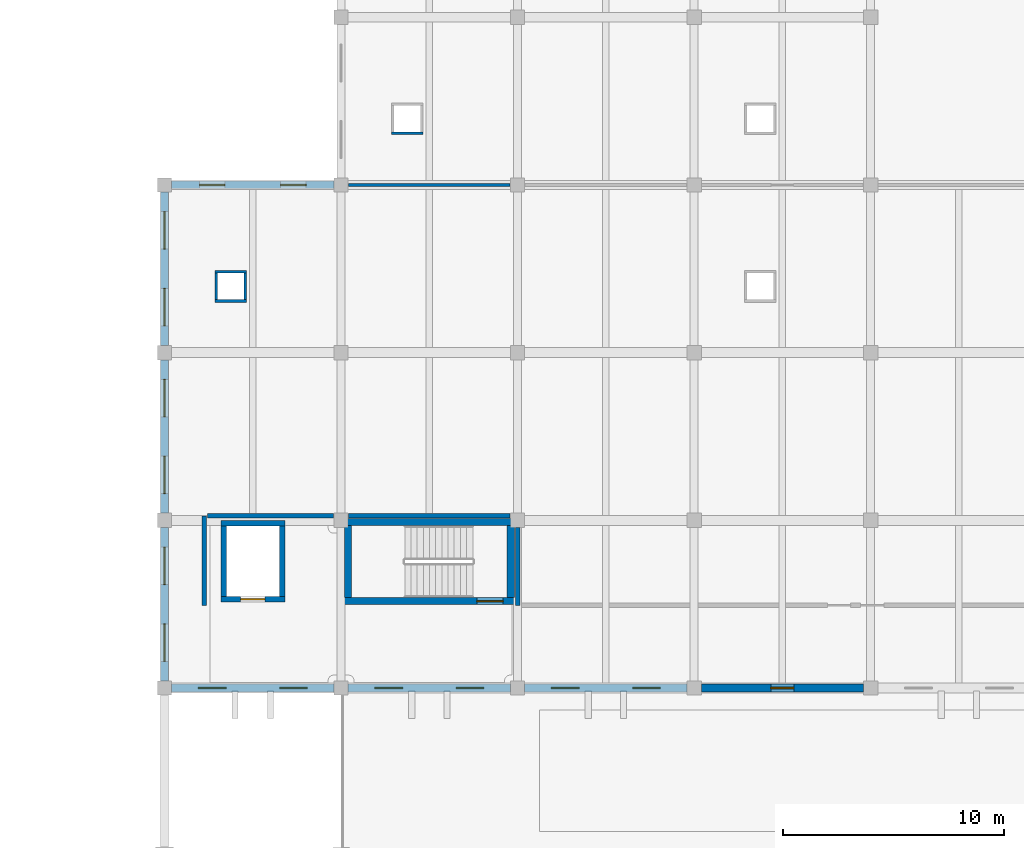
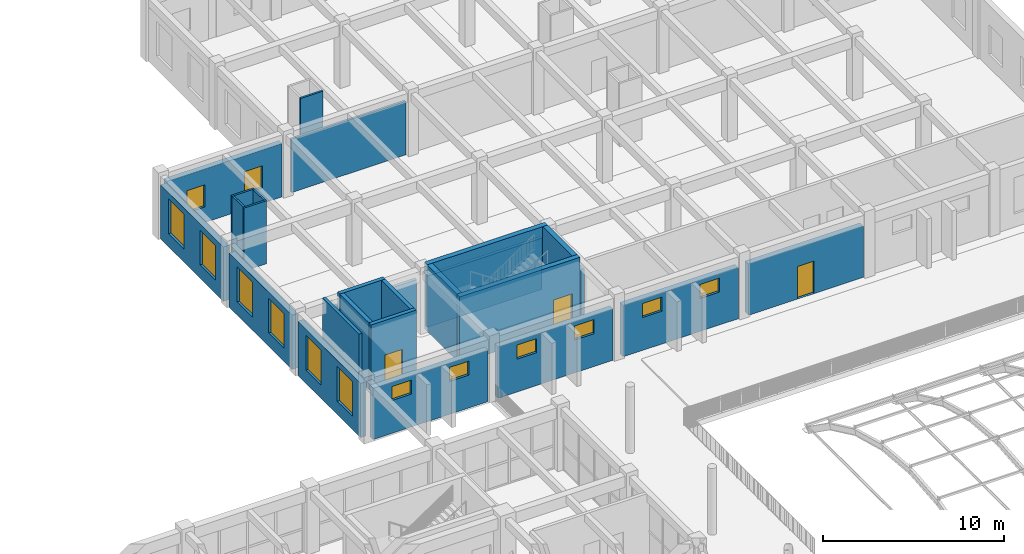
# One storey, part 60 of 79: 26 walls, 14 windows, 3 doors, 17 openings.
"""IFC4 building model written with IfcOpenShell, lengths in metres."""

from ifc_helpers import new_model, si_unit, direction, frame, frame_2d, origin, place, context, subcontext, project, spatial, rectangle, extrude, material, layer, layer_set, type_object, element, fill, save


model = new_model("IFC4")

# Units and contexts
model_context = context("Model", 3, precision=1e-05, world=origin(), true_north=direction((0.0, 1.0)))
body_context = subcontext(model_context, "Body", "Model", "MODEL_VIEW")
ifc_project = project(units=[si_unit("LENGTHUNIT", "METRE"), si_unit("AREAUNIT", "SQUARE_METRE"), si_unit("VOLUMEUNIT", "CUBIC_METRE"), si_unit("PLANEANGLEUNIT", "RADIAN"), si_unit("MASSUNIT", "GRAM", prefix="KILO")], contexts=[model_context])

# Site, building, storey
site_placement = place(None, origin())
site = spatial("IfcSite", under=ifc_project, at=site_placement, CompositionType="ELEMENT")
building_placement = place(site_placement, origin())
building = spatial("IfcBuilding", under=site, at=building_placement, Name="Zantavel Square City Hall", CompositionType="ELEMENT")
storey_placement = place(building_placement, frame((0.0, 0.0, 10.199951171875)))
storey = spatial("IfcBuildingStorey", under=building, at=storey_placement, Name="L03", CompositionType="ELEMENT", Elevation=10.199951171875)

# Wall, opening, door
ifc_material_1 = material(Name="Concrete C40/50", Category="concrete")
ifc_layer_1 = layer(ifc_material_1, 0.320068359375, Name="Concrete C40/50")
ifc_layer_set_1 = layer_set([ifc_layer_1], Name="Concrete C40/50")
wall_type_1 = type_object("IfcWallType", Name="Core Shear Wall RC 320mm C40/50", PredefinedType="SHEAR", material=ifc_layer_set_1)
wall_1_placement = place(storey_placement, frame((119.85009765625, 79.93994140625, 0.0), z_axis=(0.0, 0.0, 1.0), x_axis=(-1.0, 0.0, 0.0)))
wall_1 = element("IfcWall", 1, at=wall_1_placement, inside=storey, type_object=wall_type_1, Name="L03 Exit Stair 2 North-East Core Shear Wall South", PredefinedType="SHEAR", context=body_context, shape_type="SweptSolid", body=[
    extrude(rectangle(XDim=7.7001953125, YDim=0.320068359375, at=frame_2d((3.85009765625, 0.0))), origin(), (0.0, 0.0, 1.0), 4.5),
])
opening_1_placement = place(wall_1_placement, frame((0.5, 0.0, 0.0)))
opening_1 = element("IfcOpeningElement", 2, at=opening_1_placement, cuts=wall_1, Name="Opening SD-010", PredefinedType="OPENING", context=body_context, shape_type="SweptSolid", body=[
    extrude(rectangle(XDim=1.199951171875, YDim=2.199951171875, at=frame_2d((0.60009765625, 1.10009765625))), frame((0.0, 0.169921875, 0.0), z_axis=(0.0, -1.0, 0.0), x_axis=(1.0, 0.0, 0.0)), (0.0, 0.0, 1.0), 0.340087890625),
])
ifc_material_2 = material(Name="Steel ASTM A500 Grade B", Category="steel")
door_type_1 = type_object("IfcDoorType", Name="Enclosed Exit Stairwell Fire Door 1200x2200 FD90S", OperationType="NOTDEFINED", PredefinedType="DOOR", material=ifc_material_2)
door_1_placement = place(opening_1_placement, origin())
door_1 = element("IfcDoor", 3, at=door_1_placement, inside=storey, type_object=door_type_1, Name="L03 Exit Stair 2 North-East Core Fire Door", OperationType="SINGLE_SWING_RIGHT", OverallHeight=2.199951171875, OverallWidth=1.199951171875, PredefinedType="DOOR", context=body_context, shape_type="SweptSolid", body=[
    extrude(rectangle(XDim=1.199951171875, YDim=2.199951171875, at=frame_2d((0.60009765625, 1.10009765625))), frame((0.0, 0.02490234375, 0.0), z_axis=(0.0, -1.0, 0.0), x_axis=(1.0, 0.0, 0.0)), (0.0, 0.0, 1.0), 0.050048828125),
])
fill(opening_1, door_1)

# Walls
wall_2_placement = place(storey_placement, frame((112.31005859375, 80.10009765625, 0.0), z_axis=(0.0, 0.0, 1.0), x_axis=(0.0, 1.0, 0.0)))
element("IfcWall", 4, at=wall_2_placement, inside=storey, type_object=wall_type_1, Name="L03 Exit Stair 2 North-East Core Shear Wall West", PredefinedType="SHEAR", context=body_context, shape_type="SweptSolid", body=[
    extrude(rectangle(XDim=3.27001953125, YDim=0.320068359375, at=frame_2d((1.635009765625, 0.0))), origin(), (0.0, 0.0, 1.0), 4.5),
])
wall_3_placement = place(storey_placement, frame((112.14990234375, 83.530029296875, 0.0), z_axis=(0.0, 0.0, 1.0), x_axis=(1.0, 0.0, 0.0)))
element("IfcWall", 5, at=wall_3_placement, inside=storey, type_object=wall_type_1, Name="L03 Exit Stair 2 North-East Core Shear Wall North", PredefinedType="SHEAR", context=body_context, shape_type="SweptSolid", body=[
    extrude(rectangle(XDim=7.7001953125, YDim=0.320068359375, at=frame_2d((3.85009765625, 0.0))), origin(), (0.0, 0.0, 1.0), 4.5),
])
wall_4_placement = place(storey_placement, frame((119.68994140625, 83.3701171875, 0.0), z_axis=(0.0, 0.0, 1.0), x_axis=(0.0, -1.0, 0.0)))
element("IfcWall", 6, at=wall_4_placement, inside=storey, type_object=wall_type_1, Name="L03 Exit Stair 2 North-East Core Shear Wall East", PredefinedType="SHEAR", context=body_context, shape_type="SweptSolid", body=[
    extrude(rectangle(XDim=3.27001953125, YDim=0.320068359375, at=frame_2d((1.635009765625, 0.0))), origin(), (0.0, 0.0, 1.0), 4.5),
])

# Wall, opening, door
ifc_material_3 = material(Name="Cantera volcanic tuff stone", Category="masonry")
ifc_layer_2 = layer(ifc_material_3, 0.360107421875, Name="Cantera volcanic tuff stone")
ifc_layer_set_2 = layer_set([ifc_layer_2], Name="Cantera volcanic tuff stone")
wall_type_2 = type_object("IfcWallType", Name="Courtyard Cantera Facade Wall 360mm", PredefinedType="STANDARD", material=ifc_layer_set_2)
wall_5_placement = place(storey_placement, frame((135.675048828125, 76.0, 0.0), z_axis=(0.0, 0.0, 1.0), x_axis=(-1.0, 0.0, 0.0)))
wall_5 = element("IfcWall", 7, at=wall_5_placement, inside=storey, type_object=wall_type_2, Name="L03 Exterior Wall EW-L03-099", PredefinedType="STANDARD", context=body_context, shape_type="SweptSolid", body=[
    extrude(rectangle(XDim=7.35009765625, YDim=0.360107421875, at=frame_2d((3.675048828125, 0.0))), origin(), (0.0, 0.0, 1.0), 3.469970703125),
])
opening_2_placement = place(wall_5_placement, frame((3.14990234375, 0.0, 0.0)))
opening_2 = element("IfcOpeningElement", 8, at=opening_2_placement, cuts=wall_5, Name="Opening ED-026", PredefinedType="OPENING", context=body_context, shape_type="SweptSolid", body=[
    extrude(rectangle(XDim=1.050048828125, YDim=2.199951171875, at=frame_2d((0.52490234375, 1.10009765625))), frame((0.0, 0.18994140625, 0.0), z_axis=(0.0, -1.0, 0.0), x_axis=(1.0, 0.0, 0.0)), (0.0, 0.0, 1.0), 0.380126953125),
])
ifc_material_4 = material(Name="Anodised aluminium 6063-T6", Category="aluminium")
door_type_2 = type_object("IfcDoorType", Name="Roof Garden Access Single Door 1050x2200", OperationType="NOTDEFINED", PredefinedType="DOOR", material=ifc_material_4)
door_2_placement = place(opening_2_placement, origin())
door_2 = element("IfcDoor", 9, at=door_2_placement, inside=storey, type_object=door_type_2, Name="L03 North-East Wing Roof Garden Door", OperationType="SINGLE_SWING_RIGHT", OverallHeight=2.199951171875, OverallWidth=1.050048828125, PredefinedType="DOOR", context=body_context, shape_type="SweptSolid", body=[
    extrude(rectangle(XDim=1.050048828125, YDim=2.199951171875, at=frame_2d((0.52490234375, 1.10009765625))), frame((0.0, 0.02490234375, 0.0), z_axis=(0.0, -1.0, 0.0), x_axis=(1.0, 0.0, 0.0)), (0.0, 0.0, 1.0), 0.050048828125),
])
fill(opening_2, door_2)

# Wall, openings, windows
wall_6_placement = place(storey_placement, frame((127.675048828125, 76.0, 0.0), z_axis=(0.0, 0.0, 1.0), x_axis=(-1.0, 0.0, 0.0)))
wall_6 = element("IfcWall", 10, at=wall_6_placement, inside=storey, type_object=wall_type_2, Name="L03 Exterior Wall EW-L03-100", PredefinedType="STANDARD", context=body_context, shape_type="SweptSolid", body=[
    extrude(rectangle(XDim=7.35009765625, YDim=0.360107421875, at=frame_2d((3.675048828125, 0.0))), origin(), (0.0, 0.0, 1.0), 3.469970703125),
])
opening_3_placement = place(wall_6_placement, frame((1.21240234375, 0.0, 2.219970703125)))
opening_3 = element("IfcOpeningElement", 11, at=opening_3_placement, cuts=wall_6, Name="Opening W-414", PredefinedType="OPENING", context=body_context, shape_type="SweptSolid", body=[
    extrude(rectangle(XDim=1.25, YDim=0.949951171875, at=frame_2d((0.625, 0.47509765625))), frame((0.0, 0.18994140625, 0.0), z_axis=(0.0, -1.0, 0.0), x_axis=(1.0, 0.0, 0.0)), (0.0, 0.0, 1.0), 0.380126953125),
])
opening_4_placement = place(wall_6_placement, frame((4.887451171875, 0.0, 2.219970703125)))
opening_4 = element("IfcOpeningElement", 12, at=opening_4_placement, cuts=wall_6, Name="Opening W-415", PredefinedType="OPENING", context=body_context, shape_type="SweptSolid", body=[
    extrude(rectangle(XDim=1.25, YDim=0.949951171875, at=frame_2d((0.625, 0.47509765625))), frame((0.0, 0.18994140625, 0.0), z_axis=(0.0, -1.0, 0.0), x_axis=(1.0, 0.0, 0.0)), (0.0, 0.0, 1.0), 0.380126953125),
])
ifc_material_5 = material(Name="Tempered safety glass low-E double glazing", Category="glass")
window_type_1 = type_object("IfcWindowType", Name="Window Archive High Clerestory 1250x950", PartitioningType="SINGLE_PANEL", PredefinedType="WINDOW", material=ifc_material_5)
window_1_placement = place(opening_3_placement, origin())
window_1 = element("IfcWindow", 13, at=window_1_placement, inside=storey, type_object=window_type_1, Name="L03 Window W-414", OverallHeight=0.949951171875, OverallWidth=1.25, PartitioningType="SINGLE_PANEL", PredefinedType="WINDOW", context=body_context, shape_type="SweptSolid", body=[
    extrude(rectangle(XDim=1.25, YDim=0.949951171875, at=frame_2d((0.625, 0.47509765625))), frame((0.0, 0.030029296875, 0.0), z_axis=(0.0, -1.0, 0.0), x_axis=(1.0, 0.0, 0.0)), (0.0, 0.0, 1.0), 0.06005859375),
])
fill(opening_3, window_1)
window_2_placement = place(opening_4_placement, origin())
window_2 = element("IfcWindow", 14, at=window_2_placement, inside=storey, type_object=window_type_1, Name="L03 Window W-415", OverallHeight=0.949951171875, OverallWidth=1.25, PartitioningType="SINGLE_PANEL", PredefinedType="WINDOW", context=body_context, shape_type="SweptSolid", body=[
    extrude(rectangle(XDim=1.25, YDim=0.949951171875, at=frame_2d((0.625, 0.47509765625))), frame((0.0, 0.030029296875, 0.0), z_axis=(0.0, -1.0, 0.0), x_axis=(1.0, 0.0, 0.0)), (0.0, 0.0, 1.0), 0.06005859375),
])
fill(opening_4, window_2)

wall_7_placement = place(storey_placement, frame((119.675048828125, 76.0, 0.0), z_axis=(0.0, 0.0, 1.0), x_axis=(-1.0, 0.0, 0.0)))
wall_7 = element("IfcWall", 15, at=wall_7_placement, inside=storey, type_object=wall_type_2, Name="L03 Exterior Wall EW-L03-101", PredefinedType="STANDARD", context=body_context, shape_type="SweptSolid", body=[
    extrude(rectangle(XDim=7.35009765625, YDim=0.360107421875, at=frame_2d((3.675048828125, 0.0))), origin(), (0.0, 0.0, 1.0), 3.469970703125),
])
opening_5_placement = place(wall_7_placement, frame((1.21240234375, 0.0, 2.219970703125)))
opening_5 = element("IfcOpeningElement", 16, at=opening_5_placement, cuts=wall_7, Name="Opening W-416", PredefinedType="OPENING", context=body_context, shape_type="SweptSolid", body=[
    extrude(rectangle(XDim=1.25, YDim=0.949951171875, at=frame_2d((0.625, 0.47509765625))), frame((0.0, 0.18994140625, 0.0), z_axis=(0.0, -1.0, 0.0), x_axis=(1.0, 0.0, 0.0)), (0.0, 0.0, 1.0), 0.380126953125),
])
opening_6_placement = place(wall_7_placement, frame((4.887451171875, 0.0, 2.219970703125)))
opening_6 = element("IfcOpeningElement", 17, at=opening_6_placement, cuts=wall_7, Name="Opening W-417", PredefinedType="OPENING", context=body_context, shape_type="SweptSolid", body=[
    extrude(rectangle(XDim=1.25, YDim=0.949951171875, at=frame_2d((0.625, 0.47509765625))), frame((0.0, 0.18994140625, 0.0), z_axis=(0.0, -1.0, 0.0), x_axis=(1.0, 0.0, 0.0)), (0.0, 0.0, 1.0), 0.380126953125),
])
window_3_placement = place(opening_5_placement, origin())
window_3 = element("IfcWindow", 18, at=window_3_placement, inside=storey, type_object=window_type_1, Name="L03 Window W-416", OverallHeight=0.949951171875, OverallWidth=1.25, PartitioningType="SINGLE_PANEL", PredefinedType="WINDOW", context=body_context, shape_type="SweptSolid", body=[
    extrude(rectangle(XDim=1.25, YDim=0.949951171875, at=frame_2d((0.625, 0.47509765625))), frame((0.0, 0.030029296875, 0.0), z_axis=(0.0, -1.0, 0.0), x_axis=(1.0, 0.0, 0.0)), (0.0, 0.0, 1.0), 0.06005859375),
])
fill(opening_5, window_3)
window_4_placement = place(opening_6_placement, origin())
window_4 = element("IfcWindow", 19, at=window_4_placement, inside=storey, type_object=window_type_1, Name="L03 Window W-417", OverallHeight=0.949951171875, OverallWidth=1.25, PartitioningType="SINGLE_PANEL", PredefinedType="WINDOW", context=body_context, shape_type="SweptSolid", body=[
    extrude(rectangle(XDim=1.25, YDim=0.949951171875, at=frame_2d((0.625, 0.47509765625))), frame((0.0, 0.030029296875, 0.0), z_axis=(0.0, -1.0, 0.0), x_axis=(1.0, 0.0, 0.0)), (0.0, 0.0, 1.0), 0.06005859375),
])
fill(opening_6, window_4)

wall_8_placement = place(storey_placement, frame((111.675048828125, 76.0, 0.0), z_axis=(0.0, 0.0, 1.0), x_axis=(-1.0, 0.0, 0.0)))
wall_8 = element("IfcWall", 20, at=wall_8_placement, inside=storey, type_object=wall_type_2, Name="L03 Exterior Wall EW-L03-102", PredefinedType="STANDARD", context=body_context, shape_type="SweptSolid", body=[
    extrude(rectangle(XDim=7.35009765625, YDim=0.360107421875, at=frame_2d((3.675048828125, 0.0))), origin(), (0.0, 0.0, 1.0), 3.469970703125),
])
opening_7_placement = place(wall_8_placement, frame((1.21240234375, 0.0, 2.219970703125)))
opening_7 = element("IfcOpeningElement", 21, at=opening_7_placement, cuts=wall_8, Name="Opening W-418", PredefinedType="OPENING", context=body_context, shape_type="SweptSolid", body=[
    extrude(rectangle(XDim=1.25, YDim=0.949951171875, at=frame_2d((0.625, 0.47509765625))), frame((0.0, 0.18994140625, 0.0), z_axis=(0.0, -1.0, 0.0), x_axis=(1.0, 0.0, 0.0)), (0.0, 0.0, 1.0), 0.380126953125),
])
opening_8_placement = place(wall_8_placement, frame((4.887451171875, 0.0, 2.219970703125)))
opening_8 = element("IfcOpeningElement", 22, at=opening_8_placement, cuts=wall_8, Name="Opening W-419", PredefinedType="OPENING", context=body_context, shape_type="SweptSolid", body=[
    extrude(rectangle(XDim=1.25, YDim=0.949951171875, at=frame_2d((0.625, 0.47509765625))), frame((0.0, 0.18994140625, 0.0), z_axis=(0.0, -1.0, 0.0), x_axis=(1.0, 0.0, 0.0)), (0.0, 0.0, 1.0), 0.380126953125),
])
window_5_placement = place(opening_7_placement, origin())
window_5 = element("IfcWindow", 23, at=window_5_placement, inside=storey, type_object=window_type_1, Name="L03 Window W-418", OverallHeight=0.949951171875, OverallWidth=1.25, PartitioningType="SINGLE_PANEL", PredefinedType="WINDOW", context=body_context, shape_type="SweptSolid", body=[
    extrude(rectangle(XDim=1.25, YDim=0.949951171875, at=frame_2d((0.625, 0.47509765625))), frame((0.0, 0.030029296875, 0.0), z_axis=(0.0, -1.0, 0.0), x_axis=(1.0, 0.0, 0.0)), (0.0, 0.0, 1.0), 0.06005859375),
])
fill(opening_7, window_5)
window_6_placement = place(opening_8_placement, origin())
window_6 = element("IfcWindow", 24, at=window_6_placement, inside=storey, type_object=window_type_1, Name="L03 Window W-419", OverallHeight=0.949951171875, OverallWidth=1.25, PartitioningType="SINGLE_PANEL", PredefinedType="WINDOW", context=body_context, shape_type="SweptSolid", body=[
    extrude(rectangle(XDim=1.25, YDim=0.949951171875, at=frame_2d((0.625, 0.47509765625))), frame((0.0, 0.030029296875, 0.0), z_axis=(0.0, -1.0, 0.0), x_axis=(1.0, 0.0, 0.0)), (0.0, 0.0, 1.0), 0.06005859375),
])
fill(opening_8, window_6)

wall_9_placement = place(storey_placement, frame((104.0, 76.324951171875, 0.0), z_axis=(0.0, 0.0, 1.0), x_axis=(0.0, 1.0, 0.0)))
wall_9 = element("IfcWall", 25, at=wall_9_placement, inside=storey, type_object=wall_type_2, Name="L03 Exterior Wall EW-L03-103", PredefinedType="STANDARD", context=body_context, shape_type="SweptSolid", body=[
    extrude(rectangle(XDim=6.949951171875, YDim=0.360107421875, at=frame_2d((3.47509765625, 0.0))), origin(), (0.0, 0.0, 1.0), 3.670166015625),
])
opening_9_placement = place(wall_9_placement, frame((0.887451171875, 0.0, 0.89990234375)))
opening_9 = element("IfcOpeningElement", 26, at=opening_9_placement, cuts=wall_9, Name="Opening W-420", PredefinedType="OPENING", context=body_context, shape_type="SweptSolid", body=[
    extrude(rectangle(XDim=1.699951171875, YDim=2.35009765625, at=frame_2d((0.85009765625, 1.175048828125))), frame((0.0, 0.18994140625, 0.0), z_axis=(0.0, -1.0, 0.0), x_axis=(1.0, 0.0, 0.0)), (0.0, 0.0, 1.0), 0.380126953125),
])
opening_10_placement = place(wall_9_placement, frame((4.362548828125, 0.0, 0.89990234375)))
opening_10 = element("IfcOpeningElement", 27, at=opening_10_placement, cuts=wall_9, Name="Opening W-421", PredefinedType="OPENING", context=body_context, shape_type="SweptSolid", body=[
    extrude(rectangle(XDim=1.699951171875, YDim=2.35009765625, at=frame_2d((0.85009765625, 1.175048828125))), frame((0.0, 0.18994140625, 0.0), z_axis=(0.0, -1.0, 0.0), x_axis=(1.0, 0.0, 0.0)), (0.0, 0.0, 1.0), 0.380126953125),
])
window_type_2 = type_object("IfcWindowType", Name="Window Library Reading Tall 1700x2350", PartitioningType="DOUBLE_PANEL_VERTICAL", PredefinedType="WINDOW", material=ifc_material_5)
window_7_placement = place(opening_9_placement, origin())
window_7 = element("IfcWindow", 28, at=window_7_placement, inside=storey, type_object=window_type_2, Name="L03 Window W-420", OverallHeight=2.35009765625, OverallWidth=1.699951171875, PartitioningType="DOUBLE_PANEL_VERTICAL", PredefinedType="WINDOW", context=body_context, shape_type="SweptSolid", body=[
    extrude(rectangle(XDim=1.699951171875, YDim=2.35009765625, at=frame_2d((0.85009765625, 1.175048828125))), frame((0.0, 0.030029296875, 0.0), z_axis=(0.0, -1.0, 0.0), x_axis=(1.0, 0.0, 0.0)), (0.0, 0.0, 1.0), 0.06005859375),
])
fill(opening_9, window_7)
window_8_placement = place(opening_10_placement, origin())
window_8 = element("IfcWindow", 29, at=window_8_placement, inside=storey, type_object=window_type_2, Name="L03 Window W-421", OverallHeight=2.35009765625, OverallWidth=1.699951171875, PartitioningType="DOUBLE_PANEL_VERTICAL", PredefinedType="WINDOW", context=body_context, shape_type="SweptSolid", body=[
    extrude(rectangle(XDim=1.699951171875, YDim=2.35009765625, at=frame_2d((0.85009765625, 1.175048828125))), frame((0.0, 0.030029296875, 0.0), z_axis=(0.0, -1.0, 0.0), x_axis=(1.0, 0.0, 0.0)), (0.0, 0.0, 1.0), 0.06005859375),
])
fill(opening_10, window_8)

wall_10_placement = place(storey_placement, frame((104.0, 83.925048828125, 0.0), z_axis=(0.0, 0.0, 1.0), x_axis=(0.0, 1.0, 0.0)))
wall_10 = element("IfcWall", 30, at=wall_10_placement, inside=storey, type_object=wall_type_2, Name="L03 Exterior Wall EW-L03-104", PredefinedType="STANDARD", context=body_context, shape_type="SweptSolid", body=[
    extrude(rectangle(XDim=6.949951171875, YDim=0.360107421875, at=frame_2d((3.47509765625, 0.0))), origin(), (0.0, 0.0, 1.0), 3.670166015625),
])
opening_11_placement = place(wall_10_placement, frame((0.887451171875, 0.0, 0.89990234375)))
opening_11 = element("IfcOpeningElement", 31, at=opening_11_placement, cuts=wall_10, Name="Opening W-422", PredefinedType="OPENING", context=body_context, shape_type="SweptSolid", body=[
    extrude(rectangle(XDim=1.699951171875, YDim=2.35009765625, at=frame_2d((0.85009765625, 1.175048828125))), frame((0.0, 0.18994140625, 0.0), z_axis=(0.0, -1.0, 0.0), x_axis=(1.0, 0.0, 0.0)), (0.0, 0.0, 1.0), 0.380126953125),
])
opening_12_placement = place(wall_10_placement, frame((4.362548828125, 0.0, 0.89990234375)))
opening_12 = element("IfcOpeningElement", 32, at=opening_12_placement, cuts=wall_10, Name="Opening W-423", PredefinedType="OPENING", context=body_context, shape_type="SweptSolid", body=[
    extrude(rectangle(XDim=1.699951171875, YDim=2.35009765625, at=frame_2d((0.85009765625, 1.175048828125))), frame((0.0, 0.18994140625, 0.0), z_axis=(0.0, -1.0, 0.0), x_axis=(1.0, 0.0, 0.0)), (0.0, 0.0, 1.0), 0.380126953125),
])
window_9_placement = place(opening_11_placement, origin())
window_9 = element("IfcWindow", 33, at=window_9_placement, inside=storey, type_object=window_type_2, Name="L03 Window W-422", OverallHeight=2.35009765625, OverallWidth=1.699951171875, PartitioningType="DOUBLE_PANEL_VERTICAL", PredefinedType="WINDOW", context=body_context, shape_type="SweptSolid", body=[
    extrude(rectangle(XDim=1.699951171875, YDim=2.35009765625, at=frame_2d((0.85009765625, 1.175048828125))), frame((0.0, 0.030029296875, 0.0), z_axis=(0.0, -1.0, 0.0), x_axis=(1.0, 0.0, 0.0)), (0.0, 0.0, 1.0), 0.06005859375),
])
fill(opening_11, window_9)
window_10_placement = place(opening_12_placement, origin())
window_10 = element("IfcWindow", 34, at=window_10_placement, inside=storey, type_object=window_type_2, Name="L03 Window W-423", OverallHeight=2.35009765625, OverallWidth=1.699951171875, PartitioningType="DOUBLE_PANEL_VERTICAL", PredefinedType="WINDOW", context=body_context, shape_type="SweptSolid", body=[
    extrude(rectangle(XDim=1.699951171875, YDim=2.35009765625, at=frame_2d((0.85009765625, 1.175048828125))), frame((0.0, 0.030029296875, 0.0), z_axis=(0.0, -1.0, 0.0), x_axis=(1.0, 0.0, 0.0)), (0.0, 0.0, 1.0), 0.06005859375),
])
fill(opening_12, window_10)

wall_11_placement = place(storey_placement, frame((104.0, 91.52490234375, 0.0), z_axis=(0.0, 0.0, 1.0), x_axis=(0.0, 1.0, 0.0)))
wall_11 = element("IfcWall", 35, at=wall_11_placement, inside=storey, type_object=wall_type_2, Name="L03 Exterior Wall EW-L03-105", PredefinedType="STANDARD", context=body_context, shape_type="SweptSolid", body=[
    extrude(rectangle(XDim=6.9501953125, YDim=0.360107421875, at=frame_2d((3.47509765625, 0.0))), origin(), (0.0, 0.0, 1.0), 3.670166015625),
])
opening_13_placement = place(wall_11_placement, frame((0.887451171875, 0.0, 0.89990234375)))
opening_13 = element("IfcOpeningElement", 36, at=opening_13_placement, cuts=wall_11, Name="Opening W-424", PredefinedType="OPENING", context=body_context, shape_type="SweptSolid", body=[
    extrude(rectangle(XDim=1.699951171875, YDim=2.35009765625, at=frame_2d((0.85009765625, 1.175048828125))), frame((0.0, 0.18994140625, 0.0), z_axis=(0.0, -1.0, 0.0), x_axis=(1.0, 0.0, 0.0)), (0.0, 0.0, 1.0), 0.380126953125),
])
opening_14_placement = place(wall_11_placement, frame((4.362548828125, 0.0, 0.89990234375)))
opening_14 = element("IfcOpeningElement", 37, at=opening_14_placement, cuts=wall_11, Name="Opening W-425", PredefinedType="OPENING", context=body_context, shape_type="SweptSolid", body=[
    extrude(rectangle(XDim=1.699951171875, YDim=2.35009765625, at=frame_2d((0.85009765625, 1.175048828125))), frame((0.0, 0.18994140625, 0.0), z_axis=(0.0, -1.0, 0.0), x_axis=(1.0, 0.0, 0.0)), (0.0, 0.0, 1.0), 0.380126953125),
])
window_11_placement = place(opening_13_placement, origin())
window_11 = element("IfcWindow", 38, at=window_11_placement, inside=storey, type_object=window_type_2, Name="L03 Window W-424", OverallHeight=2.35009765625, OverallWidth=1.699951171875, PartitioningType="DOUBLE_PANEL_VERTICAL", PredefinedType="WINDOW", context=body_context, shape_type="SweptSolid", body=[
    extrude(rectangle(XDim=1.699951171875, YDim=2.35009765625, at=frame_2d((0.85009765625, 1.175048828125))), frame((0.0, 0.030029296875, 0.0), z_axis=(0.0, -1.0, 0.0), x_axis=(1.0, 0.0, 0.0)), (0.0, 0.0, 1.0), 0.06005859375),
])
fill(opening_13, window_11)
window_12_placement = place(opening_14_placement, origin())
window_12 = element("IfcWindow", 39, at=window_12_placement, inside=storey, type_object=window_type_2, Name="L03 Window W-425", OverallHeight=2.35009765625, OverallWidth=1.699951171875, PartitioningType="DOUBLE_PANEL_VERTICAL", PredefinedType="WINDOW", context=body_context, shape_type="SweptSolid", body=[
    extrude(rectangle(XDim=1.699951171875, YDim=2.35009765625, at=frame_2d((0.85009765625, 1.175048828125))), frame((0.0, 0.030029296875, 0.0), z_axis=(0.0, -1.0, 0.0), x_axis=(1.0, 0.0, 0.0)), (0.0, 0.0, 1.0), 0.06005859375),
])
fill(opening_14, window_12)

# Walls
ifc_material_6 = material(Name="Gypsum acoustic stud assembly", Category="masonry")
ifc_layer_3 = layer(ifc_material_6, 0.14990234375, Name="Gypsum acoustic stud assembly")
ifc_layer_set_3 = layer_set([ifc_layer_3], Name="Gypsum acoustic stud assembly")
wall_type_3 = type_object("IfcWallType", Name="Department Office Partition 150mm", PredefinedType="PARTITIONING", material=ifc_layer_set_3)
wall_12_placement = place(storey_placement, frame((112.3349609375, 98.800048828125, 0.0), z_axis=(0.0, 0.0, 1.0), x_axis=(1.0, 0.0, 0.0)))
element("IfcWall", 40, at=wall_12_placement, inside=storey, type_object=wall_type_3, Name="L03 Interior Wall IW-L03-0279", PredefinedType="PARTITIONING", context=body_context, shape_type="SweptSolid", body=[
    extrude(rectangle(XDim=7.330078125, YDim=0.14990234375, at=frame_2d((3.6650390625, 0.0))), origin(), (0.0, 0.0, 1.0), 3.6201171875),
])
ifc_layer_4 = layer(ifc_material_3, 0.199951171875, Name="Cantera volcanic tuff stone")
ifc_layer_set_4 = layer_set([ifc_layer_4], Name="Cantera volcanic tuff stone")
wall_type_4 = type_object("IfcWallType", Name="Exit Corridor Rated Wall 200mm", PredefinedType="STANDARD", material=ifc_layer_set_4)
wall_13_placement = place(storey_placement, frame((105.800048828125, 79.75, 0.0), z_axis=(0.0, 0.0, 1.0), x_axis=(0.0, 1.0, 0.0)))
element("IfcWall", 41, at=wall_13_placement, inside=storey, type_object=wall_type_4, Name="L03 Interior Wall IW-L03-0236", PredefinedType="STANDARD", context=body_context, shape_type="SweptSolid", body=[
    extrude(rectangle(XDim=4.050048828125, YDim=0.199951171875, at=frame_2d((2.02490234375, 0.0))), origin(), (0.0, 0.0, 1.0), 4.260009765625),
])
wall_14_placement = place(storey_placement, frame((105.949951171875, 83.800048828125, 0.0), z_axis=(0.0, 0.0, 1.0), x_axis=(1.0, 0.0, 0.0)))
element("IfcWall", 42, at=wall_14_placement, inside=storey, type_object=wall_type_4, Name="L03 Interior Wall IW-L03-0237", PredefinedType="STANDARD", context=body_context, shape_type="SweptSolid", body=[
    extrude(rectangle(XDim=5.715087890625, YDim=0.199951171875, at=frame_2d((2.857421875, 0.0))), origin(), (0.0, 0.0, 1.0), 3.469970703125),
])
wall_15_placement = place(storey_placement, frame((112.3349609375, 83.800048828125, 0.0), z_axis=(0.0, 0.0, 1.0), x_axis=(1.0, 0.0, 0.0)))
element("IfcWall", 43, at=wall_15_placement, inside=storey, type_object=wall_type_4, Name="L03 Interior Wall IW-L03-0238", PredefinedType="STANDARD", context=body_context, shape_type="SweptSolid", body=[
    extrude(rectangle(XDim=7.330078125, YDim=0.199951171875, at=frame_2d((3.6650390625, 0.0))), origin(), (0.0, 0.0, 1.0), 3.469970703125),
])
wall_16_placement = place(storey_placement, frame((120.0, 83.264892578125, 0.0), z_axis=(0.0, 0.0, 1.0), x_axis=(0.0, -1.0, 0.0)))
element("IfcWall", 44, at=wall_16_placement, inside=storey, type_object=wall_type_4, Name="L03 Interior Wall IW-L03-0239", PredefinedType="STANDARD", context=body_context, shape_type="SweptSolid", body=[
    extrude(rectangle(XDim=3.514892578125, YDim=0.199951171875, at=frame_2d((1.75732421875, 0.0))), origin(), (0.0, 0.0, 1.0), 3.670166015625),
])

# Wall, opening, door
ifc_layer_5 = layer(ifc_material_1, 0.25, Name="Concrete C40/50")
ifc_layer_set_5 = layer_set([ifc_layer_5], Name="Concrete C40/50")
wall_type_5 = type_object("IfcWallType", Name="Lift Shaft Wall RC 250mm C40/50", PredefinedType="SHEAR", material=ifc_layer_set_5)
wall_17_placement = place(storey_placement, frame((109.449951171875, 80.02490234375, 0.0), z_axis=(0.0, 0.0, 1.0), x_axis=(-1.0, 0.0, 0.0)))
wall_17 = element("IfcWall", 45, at=wall_17_placement, inside=storey, type_object=wall_type_5, Name="L03 Lift LF06 Shaft Wall South", PredefinedType="SHEAR", context=body_context, shape_type="SweptSolid", body=[
    extrude(rectangle(XDim=2.89990234375, YDim=0.25, at=frame_2d((1.449951171875, 0.0))), origin(), (0.0, 0.0, 1.0), 4.5),
])
opening_15_placement = place(wall_17_placement, frame((0.89990234375, 0.0, 0.0)))
opening_15 = element("IfcOpeningElement", 46, at=opening_15_placement, cuts=wall_17, Name="Opening LD-LF06-L03", PredefinedType="OPENING", context=body_context, shape_type="SweptSolid", body=[
    extrude(rectangle(XDim=1.10009765625, YDim=2.14990234375, at=frame_2d((0.550048828125, 1.074951171875))), frame((0.0, 0.135009765625, 0.0), z_axis=(0.0, -1.0, 0.0), x_axis=(1.0, 0.0, 0.0)), (0.0, 0.0, 1.0), 0.27001953125),
])
ifc_material_7 = material(Name="Stainless steel 316", Category="steel")
door_type_3 = type_object("IfcDoorType", Name="Lift Landing Sliding Door 1100x2150 FD90S", OperationType="NOTDEFINED", PredefinedType="DOOR", material=ifc_material_7)
door_3_placement = place(opening_15_placement, origin())
door_3 = element("IfcDoor", 47, at=door_3_placement, inside=storey, type_object=door_type_3, Name="L03 Lift LF06 Sliding Landing Door", OperationType="DOUBLE_DOOR_SLIDING", OverallHeight=2.14990234375, OverallWidth=1.10009765625, PredefinedType="DOOR", context=body_context, shape_type="SweptSolid", body=[
    extrude(rectangle(XDim=1.10009765625, YDim=2.14990234375, at=frame_2d((0.550048828125, 1.074951171875))), frame((0.0, 0.02490234375, 0.0), z_axis=(0.0, -1.0, 0.0), x_axis=(1.0, 0.0, 0.0)), (0.0, 0.0, 1.0), 0.050048828125),
])
fill(opening_15, door_3)

# Walls
wall_18_placement = place(storey_placement, frame((106.675048828125, 80.14990234375, 0.0), z_axis=(0.0, 0.0, 1.0), x_axis=(0.0, 1.0, 0.0)))
element("IfcWall", 48, at=wall_18_placement, inside=storey, type_object=wall_type_5, Name="L03 Lift LF06 Shaft Wall West", PredefinedType="SHEAR", context=body_context, shape_type="SweptSolid", body=[
    extrude(rectangle(XDim=3.2001953125, YDim=0.25, at=frame_2d((1.60009765625, 0.0))), origin(), (0.0, 0.0, 1.0), 4.5),
])
wall_19_placement = place(storey_placement, frame((106.550048828125, 83.47509765625, 0.0), z_axis=(0.0, 0.0, 1.0), x_axis=(1.0, 0.0, 0.0)))
element("IfcWall", 49, at=wall_19_placement, inside=storey, type_object=wall_type_5, Name="L03 Lift LF06 Shaft Wall North", PredefinedType="SHEAR", context=body_context, shape_type="SweptSolid", body=[
    extrude(rectangle(XDim=2.89990234375, YDim=0.25, at=frame_2d((1.449951171875, 0.0))), origin(), (0.0, 0.0, 1.0), 4.5),
])
wall_20_placement = place(storey_placement, frame((109.324951171875, 83.35009765625, 0.0), z_axis=(0.0, 0.0, 1.0), x_axis=(0.0, -1.0, 0.0)))
element("IfcWall", 50, at=wall_20_placement, inside=storey, type_object=wall_type_5, Name="L03 Lift LF06 Shaft Wall East", PredefinedType="SHEAR", context=body_context, shape_type="SweptSolid", body=[
    extrude(rectangle(XDim=3.2001953125, YDim=0.25, at=frame_2d((1.60009765625, 0.0))), origin(), (0.0, 0.0, 1.0), 4.5),
])

# Wall, openings, windows
ifc_layer_6 = layer(ifc_material_3, 0.340087890625, Name="Cantera volcanic tuff stone")
ifc_layer_set_6 = layer_set([ifc_layer_6], Name="Cantera volcanic tuff stone")
wall_type_6 = type_object("IfcWallType", Name="North Insulated Cantera Wall 340mm", PredefinedType="STANDARD", material=ifc_layer_set_6)
wall_21_placement = place(storey_placement, frame((104.324951171875, 98.800048828125, 0.0), z_axis=(0.0, 0.0, 1.0), x_axis=(1.0, 0.0, 0.0)))
wall_21 = element("IfcWall", 51, at=wall_21_placement, inside=storey, type_object=wall_type_6, Name="L03 Exterior Wall EW-L03-082", PredefinedType="STANDARD", context=body_context, shape_type="SweptSolid", body=[
    extrude(rectangle(XDim=7.35009765625, YDim=0.340087890625, at=frame_2d((3.675048828125, 0.0))), origin(), (0.0, 0.0, 1.0), 3.6201171875),
])
opening_16_placement = place(wall_21_placement, frame((1.262451171875, 0.0, 1.050048828125)))
opening_16 = element("IfcOpeningElement", 52, at=opening_16_placement, cuts=wall_21, Name="Opening W-384", PredefinedType="OPENING", context=body_context, shape_type="SweptSolid", body=[
    extrude(rectangle(XDim=1.14990234375, YDim=1.5, at=frame_2d((0.574951171875, 0.75))), frame((0.0, 0.179931640625, 0.0), z_axis=(0.0, -1.0, 0.0), x_axis=(1.0, 0.0, 0.0)), (0.0, 0.0, 1.0), 0.360107421875),
])
opening_17_placement = place(wall_21_placement, frame((4.9375, 0.0, 1.050048828125)))
opening_17 = element("IfcOpeningElement", 53, at=opening_17_placement, cuts=wall_21, Name="Opening W-385", PredefinedType="OPENING", context=body_context, shape_type="SweptSolid", body=[
    extrude(rectangle(XDim=1.14990234375, YDim=1.5, at=frame_2d((0.574951171875, 0.75))), frame((0.0, 0.179931640625, 0.0), z_axis=(0.0, -1.0, 0.0), x_axis=(1.0, 0.0, 0.0)), (0.0, 0.0, 1.0), 0.360107421875),
])
window_type_3 = type_object("IfcWindowType", Name="Window Piano Nobile North 1150x1500", PartitioningType="SINGLE_PANEL", PredefinedType="WINDOW", material=ifc_material_5)
window_13_placement = place(opening_16_placement, origin())
window_13 = element("IfcWindow", 54, at=window_13_placement, inside=storey, type_object=window_type_3, Name="L03 Window W-384", OverallHeight=1.5, OverallWidth=1.14990234375, PartitioningType="SINGLE_PANEL", PredefinedType="WINDOW", context=body_context, shape_type="SweptSolid", body=[
    extrude(rectangle(XDim=1.14990234375, YDim=1.5, at=frame_2d((0.574951171875, 0.75))), frame((0.0, 0.030029296875, 0.0), z_axis=(0.0, -1.0, 0.0), x_axis=(1.0, 0.0, 0.0)), (0.0, 0.0, 1.0), 0.06005859375),
])
fill(opening_16, window_13)
window_14_placement = place(opening_17_placement, origin())
window_14 = element("IfcWindow", 55, at=window_14_placement, inside=storey, type_object=window_type_3, Name="L03 Window W-385", OverallHeight=1.5, OverallWidth=1.14990234375, PartitioningType="SINGLE_PANEL", PredefinedType="WINDOW", context=body_context, shape_type="SweptSolid", body=[
    extrude(rectangle(XDim=1.14990234375, YDim=1.5, at=frame_2d((0.574951171875, 0.75))), frame((0.0, 0.030029296875, 0.0), z_axis=(0.0, -1.0, 0.0), x_axis=(1.0, 0.0, 0.0)), (0.0, 0.0, 1.0), 0.06005859375),
])
fill(opening_17, window_14)

# Walls
ifc_material_8 = material(Name="Concrete C35/45", Category="concrete")
ifc_layer_7 = layer(ifc_material_8, 0.1201171875, Name="Concrete C35/45")
ifc_layer_set_7 = layer_set([ifc_layer_7], Name="Concrete C35/45")
wall_type_7 = type_object("IfcWallType", Name="Riser Chase Wall RC 120mm C35/45", PredefinedType="PARTITIONING", material=ifc_layer_set_7)
wall_22_placement = place(storey_placement, frame((107.719970703125, 93.5400390625, 0.0), z_axis=(0.0, 0.0, 1.0), x_axis=(-1.0, 0.0, 0.0)))
element("IfcWall", 56, at=wall_22_placement, inside=storey, type_object=wall_type_7, Name="L03 MEP Riser 12 Wall S", PredefinedType="PARTITIONING", context=body_context, shape_type="SweptSolid", body=[
    extrude(rectangle(XDim=1.43994140625, YDim=0.1201171875, at=frame_2d((0.719970703125, 0.0))), origin(), (0.0, 0.0, 1.0), 4.260009765625),
])
wall_23_placement = place(storey_placement, frame((106.340087890625, 93.60009765625, 0.0), z_axis=(0.0, 0.0, 1.0), x_axis=(0.0, 1.0, 0.0)))
element("IfcWall", 57, at=wall_23_placement, inside=storey, type_object=wall_type_7, Name="L03 MEP Riser 12 Wall W", PredefinedType="PARTITIONING", context=body_context, shape_type="SweptSolid", body=[
    extrude(rectangle(XDim=1.199951171875, YDim=0.1201171875, at=frame_2d((0.60009765625, 0.0))), origin(), (0.0, 0.0, 1.0), 4.260009765625),
])
wall_24_placement = place(storey_placement, frame((106.280029296875, 94.860107421875, 0.0), z_axis=(0.0, 0.0, 1.0), x_axis=(1.0, 0.0, 0.0)))
element("IfcWall", 58, at=wall_24_placement, inside=storey, type_object=wall_type_7, Name="L03 MEP Riser 12 Wall N", PredefinedType="PARTITIONING", context=body_context, shape_type="SweptSolid", body=[
    extrude(rectangle(XDim=1.43994140625, YDim=0.1201171875, at=frame_2d((0.719970703125, 0.0))), origin(), (0.0, 0.0, 1.0), 4.260009765625),
])
wall_25_placement = place(storey_placement, frame((107.659912109375, 94.800048828125, 0.0), z_axis=(0.0, 0.0, 1.0), x_axis=(0.0, -1.0, 0.0)))
element("IfcWall", 59, at=wall_25_placement, inside=storey, type_object=wall_type_7, Name="L03 MEP Riser 12 Wall E", PredefinedType="PARTITIONING", context=body_context, shape_type="SweptSolid", body=[
    extrude(rectangle(XDim=1.199951171875, YDim=0.1201171875, at=frame_2d((0.60009765625, 0.0))), origin(), (0.0, 0.0, 1.0), 4.260009765625),
])
wall_26_placement = place(storey_placement, frame((115.719970703125, 101.139892578125, 0.0), z_axis=(0.0, 0.0, 1.0), x_axis=(-1.0, 0.0, 0.0)))
element("IfcWall", 60, at=wall_26_placement, inside=storey, type_object=wall_type_7, Name="L03 MEP Riser 14 Wall S", PredefinedType="PARTITIONING", context=body_context, shape_type="SweptSolid", body=[
    extrude(rectangle(XDim=1.43994140625, YDim=0.1201171875, at=frame_2d((0.719970703125, 0.0))), origin(), (0.0, 0.0, 1.0), 4.260009765625),
])

save(model, "model.ifc")
